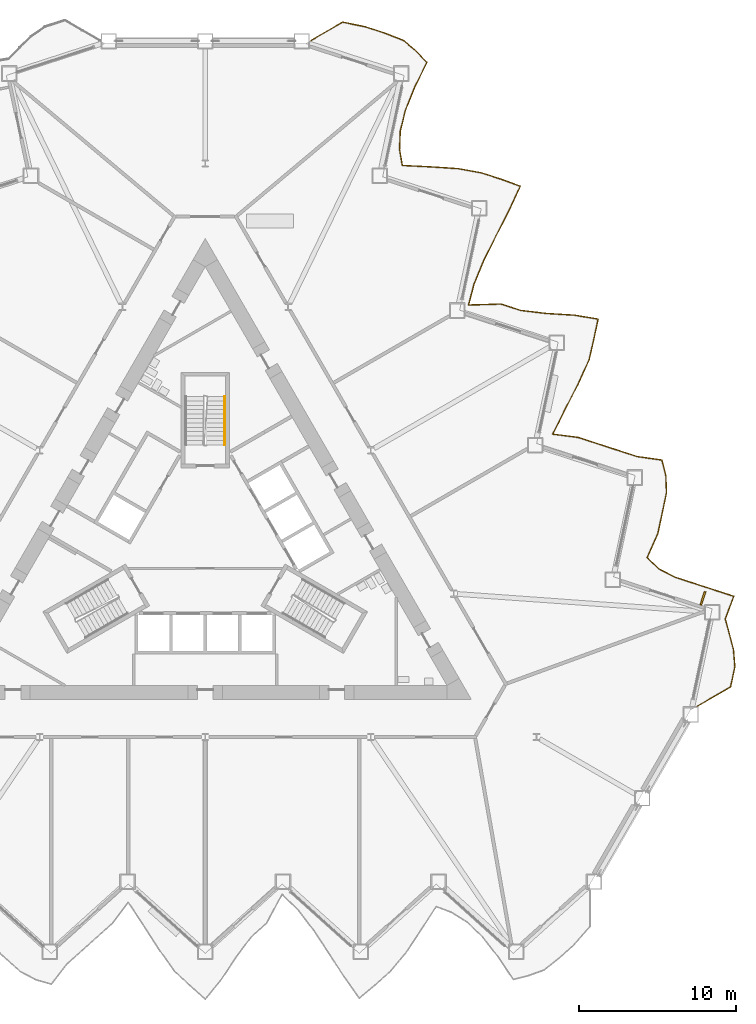
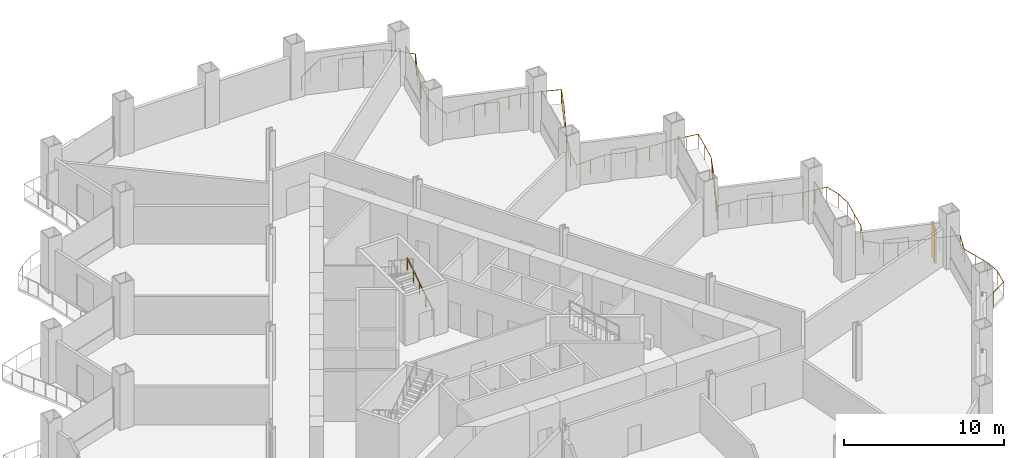
# One storey, part 19 of 21: 2 railings, 1 shading device.
"""IFC4 building model written with IfcOpenShell, lengths in metres."""

from ifc_helpers import new_model, si_unit, direction, frame, origin, origin_2d, place, context, subcontext, project, spatial, rectangle, circle, extrude, material, layer, layer_set, type_object, element, save


model = new_model("IFC4")

# Units and contexts
model_context = context("Model", 3, precision=1e-05, world=origin(), true_north=direction((0.0, 1.0)))
body_context = subcontext(model_context, "Body", "Model", "MODEL_VIEW")
ifc_project = project(units=[si_unit("LENGTHUNIT", "METRE"), si_unit("AREAUNIT", "SQUARE_METRE"), si_unit("VOLUMEUNIT", "CUBIC_METRE"), si_unit("PLANEANGLEUNIT", "RADIAN"), si_unit("MASSUNIT", "GRAM", prefix="KILO")], contexts=[model_context])

# Site, building, storey
site_placement = place(None, origin())
site = spatial("IfcSite", under=ifc_project, at=site_placement, CompositionType="ELEMENT")
building_placement = place(site_placement, origin())
building = spatial("IfcBuilding", under=site, at=building_placement, Name="Cormorant Prow Tower", CompositionType="ELEMENT")
storey_placement = place(building_placement, frame((0.0, 0.0, 67.800048828125)))
storey = spatial("IfcBuildingStorey", under=building, at=storey_placement, Name="L14", CompositionType="ELEMENT", Elevation=67.800048828125)

# Railings
ifc_material_1 = material(Name="Aluminium 6063-T6", Category="aluminium")
railing_type_1 = type_object("IfcRailingType", Name="Balcony guard 1100", PredefinedType="GUARDRAIL", material=ifc_material_1)
railing_1_placement = place(storey_placement, frame((31.3291015625, -10.300537109375, 0.0)))
element("IfcRailing", 1, at=railing_1_placement, inside=storey, type_object=railing_type_1, Name="Balcony guard ENE", PredefinedType="GUARDRAIL", context=body_context, shape_type="SweptSolid", body=[
    extrude(circle(Radius=0.02392578125, at=origin_2d()), frame((0.0, 0.0, 1.076171875), z_axis=(0.866030548046, 0.499991089772, 0.0), x_axis=(-0.499991089772, 0.866030548046, 0.0)), (0.0, 0.0, 1.0), 2.56982421875),
    extrude(circle(Radius=0.02392578125, at=origin_2d()), frame((2.2255859375, 1.284912109375, 1.076171875), z_axis=(0.207916123024, 0.978146658629, 0.0), x_axis=(-0.978146658629, 0.207916123024, 0.0)), (0.0, 0.0, 1.0), 1.3232421875),
    extrude(circle(Radius=0.02392578125, at=origin_2d()), frame((2.500732421875, 2.579345703125, 1.076171875), z_axis=(-0.07842705087, 0.9969198552, 0.0), x_axis=(-0.9969198552, -0.07842705087, 0.0)), (0.0, 0.0, 1.0), 1.089599609375),
    extrude(circle(Radius=0.02392578125, at=origin_2d()), frame((2.415283203125, 3.66552734375, 1.076171875), z_axis=(-0.25593207983, 0.966694765949, 0.0), x_axis=(-0.966694765949, -0.25593207983, 0.0)), (0.0, 0.0, 1.0), 1.018798828125),
    extrude(circle(Radius=0.02392578125, at=origin_2d()), frame((2.154541015625, 4.650390625, 1.076171875), z_axis=(-0.259483218606, 0.965747616752, 0.0), x_axis=(-0.965747616752, -0.259483218606, 0.0)), (0.0, 0.0, 1.0), 1.01806640625),
    extrude(circle(Radius=0.02392578125, at=origin_2d()), frame((1.890380859375, 5.633544921875, 1.076171875), z_axis=(0.35036198406, 0.936614371087, 0.0), x_axis=(-0.936614371087, 0.35036198406, 0.0)), (0.0, 0.0, 1.0), 1.546142578125),
    extrude(circle(Radius=0.02392578125, at=origin_2d()), frame((2.43212890625, 7.081787109375, 1.076171875), z_axis=(-0.951054403512, 0.309023496777, 0.0), x_axis=(-0.309023496777, -0.951054403512, 0.0)), (0.0, 0.0, 1.0), 1.3232421875),
    extrude(circle(Radius=0.02392578125, at=origin_2d()), frame((1.173583984375, 7.49072265625, 1.076171875), z_axis=(-0.951054403512, 0.309023496777, 0.0), x_axis=(-0.309023496777, -0.951054403512, 0.0)), (0.0, 0.0, 1.0), 1.3232421875),
    extrude(circle(Radius=0.02392578125, at=origin_2d()), frame((-0.0849609375, 7.899658203125, 1.076171875), z_axis=(-0.951054403512, 0.309023496777, 0.0), x_axis=(-0.309023496777, -0.951054403512, 0.0)), (0.0, 0.0, 1.0), 1.3232421875),
    extrude(circle(Radius=0.02392578125, at=origin_2d()), frame((-1.343505859375, 8.30859375, 1.076171875), z_axis=(-0.888067570073, 0.459712944113, 0.0), x_axis=(-0.459712944113, -0.888067570073, 0.0)), (0.0, 0.0, 1.0), 1.167724609375),
    extrude(circle(Radius=0.02392578125, at=origin_2d()), frame((-2.380615234375, 8.845458984375, 1.076171875), z_axis=(-0.704219685017, 0.709982137264, 0.0), x_axis=(-0.709982137264, -0.704219685017, 0.0)), (0.0, 0.0, 1.0), 1.016845703125),
    extrude(circle(Radius=0.02392578125, at=origin_2d()), frame((-3.0966796875, 9.5673828125, 1.076171875), z_axis=(0.406666401642, 0.913576727908, 0.0), x_axis=(-0.913576727908, 0.406666401642, 0.0)), (0.0, 0.0, 1.0), 1.673095703125),
    extrude(circle(Radius=0.02392578125, at=origin_2d()), frame((-2.416259765625, 11.095947265625, 1.076171875), z_axis=(0.207953649087, 0.978138681288, 0.0), x_axis=(-0.978138681288, 0.207953649087, 0.0)), (0.0, 0.0, 1.0), 1.322998046875),
    extrude(circle(Radius=0.02392578125, at=origin_2d()), frame((-2.14111328125, 12.39013671875, 1.076171875), z_axis=(0.207916123024, 0.978146658629, 0.0), x_axis=(-0.978146658629, 0.207916123024, 0.0)), (0.0, 0.0, 1.0), 1.3232421875),
    extrude(circle(Radius=0.02392578125, at=origin_2d()), frame((-1.865966796875, 13.6845703125, 1.076171875), z_axis=(-0.037758643401, 0.99928688816, 0.0), x_axis=(-0.99928688816, -0.037758643401, 0.0)), (0.0, 0.0, 1.0), 1.112060546875),
    extrude(circle(Radius=0.02392578125, at=origin_2d()), frame((-1.907958984375, 14.7958984375, 1.076171875), z_axis=(-0.247874989149, 0.968792026058, 0.0), x_axis=(-0.968792026058, -0.247874989149, 0.0)), (0.0, 0.0, 1.0), 1.021484375),
    extrude(circle(Radius=0.02392578125, at=origin_2d()), frame((-2.1611328125, 15.785400390625, 1.076171875), z_axis=(-0.990306886984, 0.138896614761, 0.0), x_axis=(-0.138896614761, -0.990306886984, 0.0)), (0.0, 0.0, 1.0), 1.59765625),
    extrude(circle(Radius=0.02392578125, at=origin_2d()), frame((-3.743408203125, 16.00732421875, 1.076171875), z_axis=(-0.951054403512, 0.309023496777, 0.0), x_axis=(-0.309023496777, -0.951054403512, 0.0)), (0.0, 0.0, 1.0), 1.3232421875),
    extrude(circle(Radius=0.02392578125, at=origin_2d()), frame((-5.001953125, 16.416259765625, 1.076171875), z_axis=(-0.951054403512, 0.309023496777, 0.0), x_axis=(-0.309023496777, -0.951054403512, 0.0)), (0.0, 0.0, 1.0), 1.3232421875),
    extrude(circle(Radius=0.02392578125, at=origin_2d()), frame((-6.260498046875, 16.8251953125, 1.076171875), z_axis=(-0.951054403512, 0.309023496777, 0.0), x_axis=(-0.309023496777, -0.951054403512, 0.0)), (0.0, 0.0, 1.0), 1.3232421875),
    extrude(circle(Radius=0.02392578125, at=origin_2d()), frame((-7.51904296875, 17.234130859375, 1.076171875), z_axis=(-0.992042667433, 0.125902128625, 0.0), x_axis=(-0.125902128625, -0.992042667433, 0.0)), (0.0, 0.0, 1.0), 1.625),
    extrude(circle(Radius=0.02392578125, at=origin_2d()), frame((-9.131103515625, 17.438720703125, 1.076171875), z_axis=(0.447487016102, 0.894290428452, 0.0), x_axis=(-0.894290428452, 0.447487016102, 0.0)), (0.0, 0.0, 1.0), 1.78564453125),
    extrude(circle(Radius=0.02392578125, at=origin_2d()), frame((-8.33203125, 19.03564453125, 1.076171875), z_axis=(0.454811330085, 0.890587813765, 0.0), x_axis=(-0.890587813765, 0.454811330085, 0.0)), (0.0, 0.0, 1.0), 1.808349609375),
    extrude(circle(Radius=0.02392578125, at=origin_2d()), frame((-7.509521484375, 20.646240234375, 1.076171875), z_axis=(0.414563285279, 0.910020484659, 0.0), x_axis=(-0.910020484659, 0.414563285279, 0.0)), (0.0, 0.0, 1.0), 1.693115234375),
    extrude(circle(Radius=0.02392578125, at=origin_2d()), frame((-6.8076171875, 22.18701171875, 1.076171875), z_axis=(0.223318562113, 0.974745515412, 0.0), x_axis=(-0.974745515412, 0.223318562113, 0.0)), (0.0, 0.0, 1.0), 1.342529296875),
    extrude(circle(Radius=0.02392578125, at=origin_2d()), frame((-6.5078125, 23.49560546875, 1.076171875), z_axis=(0.207916123024, 0.978146658629, 0.0), x_axis=(-0.978146658629, 0.207916123024, 0.0)), (0.0, 0.0, 1.0), 1.3232421875),
    extrude(circle(Radius=0.02392578125, at=origin_2d()), frame((-6.232666015625, 24.7900390625, 1.076171875), z_axis=(-0.986973640744, 0.160882045228, 0.0), x_axis=(-0.160882045228, -0.986973640744, 0.0)), (0.0, 0.0, 1.0), 1.553955078125),
    extrude(circle(Radius=0.02392578125, at=origin_2d()), frame((-7.766357421875, 25.0400390625, 1.076171875), z_axis=(-0.99812129543, 0.061268912257, 0.0), x_axis=(-0.061268912257, -0.99812129543, 0.0)), (0.0, 0.0, 1.0), 1.78125),
    extrude(circle(Radius=0.02392578125, at=origin_2d()), frame((-9.544189453125, 25.149169921875, 1.076171875), z_axis=(-0.993117124852, 0.117125472572, 0.0), x_axis=(-0.117125472572, -0.993117124852, 0.0)), (0.0, 0.0, 1.0), 1.64453125),
    extrude(circle(Radius=0.02392578125, at=origin_2d()), frame((-11.177490234375, 25.341796875, 1.076171875), z_axis=(-0.951054403512, 0.309023496777, 0.0), x_axis=(-0.309023496777, -0.951054403512, 0.0)), (0.0, 0.0, 1.0), 1.3232421875),
    extrude(circle(Radius=0.02392578125, at=origin_2d()), frame((-12.43603515625, 25.750732421875, 1.076171875), z_axis=(-0.999556700058, -0.029772527091, 0.0), x_axis=(0.029772527091, -0.999556700058, 0.0)), (0.0, 0.0, 1.0), 2.07470703125),
    extrude(circle(Radius=0.02392578125, at=origin_2d()), frame((-14.509765625, 25.68896484375, 1.076171875), z_axis=(0.255325857742, 0.966855059649, 0.0), x_axis=(-0.966855059649, 0.255325857742, 0.0)), (0.0, 0.0, 1.0), 1.385498046875),
    extrude(circle(Radius=0.02392578125, at=origin_2d()), frame((-14.156005859375, 27.028564453125, 1.076171875), z_axis=(0.382057872084, 0.924138400013, 0.0), x_axis=(-0.924138400013, 0.382057872084, 0.0)), (0.0, 0.0, 1.0), 1.6142578125),
    extrude(circle(Radius=0.02392578125, at=origin_2d()), frame((-13.539306640625, 28.520263671875, 1.076171875), z_axis=(0.444408082663, 0.895824456054, 0.0), x_axis=(-0.895824456054, 0.444408082663, 0.0)), (0.0, 0.0, 1.0), 1.776611328125),
    extrude(circle(Radius=0.02392578125, at=origin_2d()), frame((-12.749755859375, 30.11181640625, 1.076171875), z_axis=(0.45613613343, 0.889910011057, 0.0), x_axis=(-0.889910011057, 0.45613613343, 0.0)), (0.0, 0.0, 1.0), 1.812255859375),
    extrude(circle(Radius=0.02392578125, at=origin_2d()), frame((-11.923095703125, 31.724609375, 1.076171875), z_axis=(0.420435188405, 0.907322573482, 0.0), x_axis=(-0.907322573482, 0.420435188405, 0.0)), (0.0, 0.0, 1.0), 1.70849609375),
    extrude(circle(Radius=0.02392578125, at=origin_2d()), frame((-11.204833984375, 33.274658203125, 1.076171875), z_axis=(-0.939017858551, 0.343868377903, 0.0), x_axis=(-0.343868377903, -0.939017858551, 0.0)), (0.0, 0.0, 1.0), 1.281494140625),
    extrude(circle(Radius=0.02392578125, at=origin_2d()), frame((-12.408203125, 33.71533203125, 1.076171875), z_axis=(-0.951054403512, 0.309023496777, 0.0), x_axis=(-0.309023496777, -0.951054403512, 0.0)), (0.0, 0.0, 1.0), 1.3232421875),
    extrude(circle(Radius=0.02392578125, at=origin_2d()), frame((-13.666748046875, 34.124267578125, 1.076171875), z_axis=(-0.983608934838, 0.180314900401, 0.0), x_axis=(-0.180314900401, -0.983608934838, 0.0)), (0.0, 0.0, 1.0), 1.517822265625),
    extrude(circle(Radius=0.02392578125, at=origin_2d()), frame((-15.15966796875, 34.39794921875, 1.076171875), z_axis=(-0.997891181229, 0.064909093545, 0.0), x_axis=(-0.064909093545, -0.997891181229, 0.0)), (0.0, 0.0, 1.0), 1.771484375),
    extrude(circle(Radius=0.02392578125, at=origin_2d()), frame((-16.927490234375, 34.512939453125, 1.076171875), z_axis=(-0.99877937703, 0.049393886453, 0.0), x_axis=(-0.049393886453, -0.99877937703, 0.0)), (0.0, 0.0, 1.0), 1.81396484375),
    extrude(circle(Radius=0.02392578125, at=origin_2d()), frame((-18.7392578125, 34.6025390625, 1.076171875), z_axis=(-0.167380545357, 0.985892363819, 0.0), x_axis=(-0.985892363819, -0.167380545357, 0.0)), (0.0, 0.0, 1.0), 1.048828125),
    extrude(circle(Radius=0.02392578125, at=origin_2d()), frame((-18.914794921875, 35.636474609375, 1.076171875), z_axis=(0.039054024104, 0.999237100593, 0.0), x_axis=(-0.999237100593, 0.039054024104, 0.0)), (0.0, 0.0, 1.0), 1.162841796875),
    extrude(circle(Radius=0.02392578125, at=origin_2d()), frame((-18.869384765625, 36.79833984375, 1.076171875), z_axis=(0.240093301507, 0.970749816673, 0.0), x_axis=(-0.970749816673, 0.240093301507, 0.0)), (0.0, 0.0, 1.0), 1.364501953125),
    extrude(circle(Radius=0.02392578125, at=origin_2d()), frame((-18.541748046875, 38.123046875, 1.076171875), z_axis=(0.373501084579, 0.927629742849, 0.0), x_axis=(-0.927629742849, 0.373501084579, 0.0)), (0.0, 0.0, 1.0), 1.594970703125),
    extrude(circle(Radius=0.02392578125, at=origin_2d()), frame((-17.946044921875, 39.6025390625, 1.076171875), z_axis=(0.441066016697, 0.897474661991, 0.0), x_axis=(-0.897474661991, 0.441066016697, 0.0)), (0.0, 0.0, 1.0), 1.766357421875),
    extrude(circle(Radius=0.02392578125, at=origin_2d()), frame((-17.1669921875, 41.187744140625, 1.076171875), z_axis=(-0.694714872797, 0.719285232376, 0.0), x_axis=(-0.719285232376, -0.694714872797, 0.0)), (0.0, 0.0, 1.0), 1.013427734375),
    extrude(circle(Radius=0.02392578125, at=origin_2d()), frame((-17.87109375, 41.916748046875, 1.076171875), z_axis=(-0.765074589063, 0.643941669074, 0.0), x_axis=(-0.643941669074, -0.765074589063, 0.0)), (0.0, 0.0, 1.0), 1.046142578125),
    extrude(circle(Radius=0.02392578125, at=origin_2d()), frame((-18.67138671875, 42.59033203125, 1.076171875), z_axis=(-0.930892975673, 0.365292030904, 0.0), x_axis=(-0.365292030904, -0.930892975673, 0.0)), (0.0, 0.0, 1.0), 1.2578125),
    extrude(circle(Radius=0.02392578125, at=origin_2d()), frame((-19.84228515625, 43.0498046875, 1.076171875), z_axis=(-0.951054403512, 0.309023496777, 0.0), x_axis=(-0.309023496777, -0.951054403512, 0.0)), (0.0, 0.0, 1.0), 1.3232421875),
    extrude(circle(Radius=0.02392578125, at=origin_2d()), frame((-21.100830078125, 43.458740234375, 1.076171875), z_axis=(-0.979839575848, 0.199785899409, 0.0), x_axis=(-0.199785899409, -0.979839575848, 0.0)), (0.0, 0.0, 1.0), 1.483642578125),
    extrude(circle(Radius=0.02392578125, at=origin_2d()), frame((-22.554443359375, 43.755126953125, 1.076171875), z_axis=(-0.865998332812, -0.500046885369, 0.0), x_axis=(0.500046885369, -0.865998332812, 0.0)), (0.0, 0.0, 1.0), 2.344970703125),
    extrude(circle(Radius=0.02099609375, at=origin_2d()), origin(), (0.0, 0.0, 1.0), 1.052001953125),
    extrude(circle(Radius=0.02099609375, at=origin_2d()), frame((1.11279296875, 0.642578125, 0.0)), (0.0, 0.0, 1.0), 1.052001953125),
    extrude(circle(Radius=0.02099609375, at=origin_2d()), frame((2.2255859375, 1.284912109375, 0.0)), (0.0, 0.0, 1.0), 1.052001953125),
    extrude(circle(Radius=0.02099609375, at=origin_2d()), frame((2.500732421875, 2.579345703125, 0.0)), (0.0, 0.0, 1.0), 1.052001953125),
    extrude(circle(Radius=0.02099609375, at=origin_2d()), frame((2.415283203125, 3.66552734375, 0.0)), (0.0, 0.0, 1.0), 1.052001953125),
    extrude(circle(Radius=0.02099609375, at=origin_2d()), frame((2.154541015625, 4.650390625, 0.0)), (0.0, 0.0, 1.0), 1.052001953125),
    extrude(circle(Radius=0.02099609375, at=origin_2d()), frame((1.890380859375, 5.633544921875, 0.0)), (0.0, 0.0, 1.0), 1.052001953125),
    extrude(circle(Radius=0.02099609375, at=origin_2d()), frame((2.1611328125, 6.357666015625, 0.0)), (0.0, 0.0, 1.0), 1.052001953125),
    extrude(circle(Radius=0.02099609375, at=origin_2d()), frame((2.43212890625, 7.081787109375, 0.0)), (0.0, 0.0, 1.0), 1.052001953125),
    extrude(circle(Radius=0.02099609375, at=origin_2d()), frame((1.173583984375, 7.49072265625, 0.0)), (0.0, 0.0, 1.0), 1.052001953125),
    extrude(circle(Radius=0.02099609375, at=origin_2d()), frame((-0.0849609375, 7.899658203125, 0.0)), (0.0, 0.0, 1.0), 1.052001953125),
    extrude(circle(Radius=0.02099609375, at=origin_2d()), frame((-1.343505859375, 8.30859375, 0.0)), (0.0, 0.0, 1.0), 1.052001953125),
    extrude(circle(Radius=0.02099609375, at=origin_2d()), frame((-2.380615234375, 8.845458984375, 0.0)), (0.0, 0.0, 1.0), 1.052001953125),
    extrude(circle(Radius=0.02099609375, at=origin_2d()), frame((-3.0966796875, 9.5673828125, 0.0)), (0.0, 0.0, 1.0), 1.052001953125),
    extrude(circle(Radius=0.02099609375, at=origin_2d()), frame((-2.75634765625, 10.33154296875, 0.0)), (0.0, 0.0, 1.0), 1.052001953125),
    extrude(circle(Radius=0.02099609375, at=origin_2d()), frame((-2.416259765625, 11.095947265625, 0.0)), (0.0, 0.0, 1.0), 1.052001953125),
    extrude(circle(Radius=0.02099609375, at=origin_2d()), frame((-2.14111328125, 12.39013671875, 0.0)), (0.0, 0.0, 1.0), 1.052001953125),
    extrude(circle(Radius=0.02099609375, at=origin_2d()), frame((-1.865966796875, 13.6845703125, 0.0)), (0.0, 0.0, 1.0), 1.052001953125),
    extrude(circle(Radius=0.02099609375, at=origin_2d()), frame((-1.907958984375, 14.7958984375, 0.0)), (0.0, 0.0, 1.0), 1.052001953125),
    extrude(circle(Radius=0.02099609375, at=origin_2d()), frame((-2.1611328125, 15.785400390625, 0.0)), (0.0, 0.0, 1.0), 1.052001953125),
    extrude(circle(Radius=0.02099609375, at=origin_2d()), frame((-2.9521484375, 15.896484375, 0.0)), (0.0, 0.0, 1.0), 1.052001953125),
    extrude(circle(Radius=0.02099609375, at=origin_2d()), frame((-3.743408203125, 16.00732421875, 0.0)), (0.0, 0.0, 1.0), 1.052001953125),
    extrude(circle(Radius=0.02099609375, at=origin_2d()), frame((-5.001953125, 16.416259765625, 0.0)), (0.0, 0.0, 1.0), 1.052001953125),
    extrude(circle(Radius=0.02099609375, at=origin_2d()), frame((-6.260498046875, 16.8251953125, 0.0)), (0.0, 0.0, 1.0), 1.052001953125),
    extrude(circle(Radius=0.02099609375, at=origin_2d()), frame((-7.51904296875, 17.234130859375, 0.0)), (0.0, 0.0, 1.0), 1.052001953125),
    extrude(circle(Radius=0.02099609375, at=origin_2d()), frame((-8.3251953125, 17.33642578125, 0.0)), (0.0, 0.0, 1.0), 1.052001953125),
    extrude(circle(Radius=0.02099609375, at=origin_2d()), frame((-9.131103515625, 17.438720703125, 0.0)), (0.0, 0.0, 1.0), 1.052001953125),
    extrude(circle(Radius=0.02099609375, at=origin_2d()), frame((-8.7314453125, 18.2373046875, 0.0)), (0.0, 0.0, 1.0), 1.052001953125),
    extrude(circle(Radius=0.02099609375, at=origin_2d()), frame((-8.33203125, 19.03564453125, 0.0)), (0.0, 0.0, 1.0), 1.052001953125),
    extrude(circle(Radius=0.02099609375, at=origin_2d()), frame((-7.9208984375, 19.8408203125, 0.0)), (0.0, 0.0, 1.0), 1.052001953125),
    extrude(circle(Radius=0.02099609375, at=origin_2d()), frame((-7.509521484375, 20.646240234375, 0.0)), (0.0, 0.0, 1.0), 1.052001953125),
    extrude(circle(Radius=0.02099609375, at=origin_2d()), frame((-7.15869140625, 21.41650390625, 0.0)), (0.0, 0.0, 1.0), 1.052001953125),
    extrude(circle(Radius=0.02099609375, at=origin_2d()), frame((-6.8076171875, 22.18701171875, 0.0)), (0.0, 0.0, 1.0), 1.052001953125),
    extrude(circle(Radius=0.02099609375, at=origin_2d()), frame((-6.5078125, 23.49560546875, 0.0)), (0.0, 0.0, 1.0), 1.052001953125),
    extrude(circle(Radius=0.02099609375, at=origin_2d()), frame((-6.232666015625, 24.7900390625, 0.0)), (0.0, 0.0, 1.0), 1.052001953125),
    extrude(circle(Radius=0.02099609375, at=origin_2d()), frame((-6.99951171875, 24.9150390625, 0.0)), (0.0, 0.0, 1.0), 1.052001953125),
    extrude(circle(Radius=0.02099609375, at=origin_2d()), frame((-7.766357421875, 25.0400390625, 0.0)), (0.0, 0.0, 1.0), 1.052001953125),
    extrude(circle(Radius=0.02099609375, at=origin_2d()), frame((-8.6552734375, 25.0947265625, 0.0)), (0.0, 0.0, 1.0), 1.052001953125),
    extrude(circle(Radius=0.02099609375, at=origin_2d()), frame((-9.544189453125, 25.149169921875, 0.0)), (0.0, 0.0, 1.0), 1.052001953125),
    extrude(circle(Radius=0.02099609375, at=origin_2d()), frame((-10.36083984375, 25.24560546875, 0.0)), (0.0, 0.0, 1.0), 1.052001953125),
    extrude(circle(Radius=0.02099609375, at=origin_2d()), frame((-11.177490234375, 25.341796875, 0.0)), (0.0, 0.0, 1.0), 1.052001953125),
    extrude(circle(Radius=0.02099609375, at=origin_2d()), frame((-12.43603515625, 25.750732421875, 0.0)), (0.0, 0.0, 1.0), 1.052001953125),
    extrude(circle(Radius=0.02099609375, at=origin_2d()), frame((-13.472900390625, 25.7197265625, 0.0)), (0.0, 0.0, 1.0), 1.052001953125),
    extrude(circle(Radius=0.02099609375, at=origin_2d()), frame((-14.509765625, 25.68896484375, 0.0)), (0.0, 0.0, 1.0), 1.052001953125),
    extrude(circle(Radius=0.02099609375, at=origin_2d()), frame((-14.156005859375, 27.028564453125, 0.0)), (0.0, 0.0, 1.0), 1.052001953125),
    extrude(circle(Radius=0.02099609375, at=origin_2d()), frame((-13.84765625, 27.7744140625, 0.0)), (0.0, 0.0, 1.0), 1.052001953125),
    extrude(circle(Radius=0.02099609375, at=origin_2d()), frame((-13.539306640625, 28.520263671875, 0.0)), (0.0, 0.0, 1.0), 1.052001953125),
    extrude(circle(Radius=0.02099609375, at=origin_2d()), frame((-13.14453125, 29.31591796875, 0.0)), (0.0, 0.0, 1.0), 1.052001953125),
    extrude(circle(Radius=0.02099609375, at=origin_2d()), frame((-12.749755859375, 30.11181640625, 0.0)), (0.0, 0.0, 1.0), 1.052001953125),
    extrude(circle(Radius=0.02099609375, at=origin_2d()), frame((-12.33642578125, 30.918212890625, 0.0)), (0.0, 0.0, 1.0), 1.052001953125),
    extrude(circle(Radius=0.02099609375, at=origin_2d()), frame((-11.923095703125, 31.724609375, 0.0)), (0.0, 0.0, 1.0), 1.052001953125),
    extrude(circle(Radius=0.02099609375, at=origin_2d()), frame((-11.56396484375, 32.49951171875, 0.0)), (0.0, 0.0, 1.0), 1.052001953125),
    extrude(circle(Radius=0.02099609375, at=origin_2d()), frame((-11.204833984375, 33.274658203125, 0.0)), (0.0, 0.0, 1.0), 1.052001953125),
    extrude(circle(Radius=0.02099609375, at=origin_2d()), frame((-12.408203125, 33.71533203125, 0.0)), (0.0, 0.0, 1.0), 1.052001953125),
    extrude(circle(Radius=0.02099609375, at=origin_2d()), frame((-13.666748046875, 34.124267578125, 0.0)), (0.0, 0.0, 1.0), 1.052001953125),
    extrude(circle(Radius=0.02099609375, at=origin_2d()), frame((-14.4130859375, 34.26123046875, 0.0)), (0.0, 0.0, 1.0), 1.052001953125),
    extrude(circle(Radius=0.02099609375, at=origin_2d()), frame((-15.15966796875, 34.39794921875, 0.0)), (0.0, 0.0, 1.0), 1.052001953125),
    extrude(circle(Radius=0.02099609375, at=origin_2d()), frame((-16.04345703125, 34.45556640625, 0.0)), (0.0, 0.0, 1.0), 1.052001953125),
    extrude(circle(Radius=0.02099609375, at=origin_2d()), frame((-16.927490234375, 34.512939453125, 0.0)), (0.0, 0.0, 1.0), 1.052001953125),
    extrude(circle(Radius=0.02099609375, at=origin_2d()), frame((-17.83349609375, 34.5576171875, 0.0)), (0.0, 0.0, 1.0), 1.052001953125),
    extrude(circle(Radius=0.02099609375, at=origin_2d()), frame((-18.7392578125, 34.6025390625, 0.0)), (0.0, 0.0, 1.0), 1.052001953125),
    extrude(circle(Radius=0.02099609375, at=origin_2d()), frame((-18.914794921875, 35.636474609375, 0.0)), (0.0, 0.0, 1.0), 1.052001953125),
    extrude(circle(Radius=0.02099609375, at=origin_2d()), frame((-18.869384765625, 36.79833984375, 0.0)), (0.0, 0.0, 1.0), 1.052001953125),
    extrude(circle(Radius=0.02099609375, at=origin_2d()), frame((-18.541748046875, 38.123046875, 0.0)), (0.0, 0.0, 1.0), 1.052001953125),
    extrude(circle(Radius=0.02099609375, at=origin_2d()), frame((-18.243896484375, 38.86279296875, 0.0)), (0.0, 0.0, 1.0), 1.052001953125),
    extrude(circle(Radius=0.02099609375, at=origin_2d()), frame((-17.946044921875, 39.6025390625, 0.0)), (0.0, 0.0, 1.0), 1.052001953125),
    extrude(circle(Radius=0.02099609375, at=origin_2d()), frame((-17.556640625, 40.39501953125, 0.0)), (0.0, 0.0, 1.0), 1.052001953125),
    extrude(circle(Radius=0.02099609375, at=origin_2d()), frame((-17.1669921875, 41.187744140625, 0.0)), (0.0, 0.0, 1.0), 1.052001953125),
    extrude(circle(Radius=0.02099609375, at=origin_2d()), frame((-17.87109375, 41.916748046875, 0.0)), (0.0, 0.0, 1.0), 1.052001953125),
    extrude(circle(Radius=0.02099609375, at=origin_2d()), frame((-18.67138671875, 42.59033203125, 0.0)), (0.0, 0.0, 1.0), 1.052001953125),
    extrude(circle(Radius=0.02099609375, at=origin_2d()), frame((-19.84228515625, 43.0498046875, 0.0)), (0.0, 0.0, 1.0), 1.052001953125),
    extrude(circle(Radius=0.02099609375, at=origin_2d()), frame((-21.100830078125, 43.458740234375, 0.0)), (0.0, 0.0, 1.0), 1.052001953125),
    extrude(circle(Radius=0.02099609375, at=origin_2d()), frame((-22.554443359375, 43.755126953125, 0.0)), (0.0, 0.0, 1.0), 1.052001953125),
    extrude(circle(Radius=0.02099609375, at=origin_2d()), frame((-23.56982421875, 43.1689453125, 0.0)), (0.0, 0.0, 1.0), 1.052001953125),
    extrude(circle(Radius=0.02099609375, at=origin_2d()), frame((-24.585205078125, 42.58251953125, 0.0)), (0.0, 0.0, 1.0), 1.052001953125),
])
ifc_material_2 = material(Name="Stainless steel", Category="steel")
railing_type_2 = type_object("IfcRailingType", Name="Stair handrail 900", PredefinedType="HANDRAIL", material=ifc_material_2)
railing_2_placement = place(storey_placement, frame((1.243896484375, 6.455810546875, 0.175048828125)))
element("IfcRailing", 2, at=railing_2_placement, inside=storey, type_object=railing_type_2, Name="L14 ST3 stair handrail 1", PredefinedType="HANDRAIL", context=body_context, shape_type="SweptSolid", body=[
    extrude(circle(Radius=0.02392578125, at=origin_2d()), frame((0.0, 0.0, 0.8759765625), z_axis=(0.0, 0.848028513186, 0.529950602248), x_axis=(-1.0, 0.0, 0.0)), (0.0, 0.0, 1.0), 3.632080078125),
    extrude(circle(Radius=0.02099609375, at=origin_2d()), origin(), (0.0, 0.0, 1.0), 0.851806640625),
    extrude(circle(Radius=0.02099609375, at=origin_2d()), frame((0.0, 0.77001953125, 0.481201171875)), (0.0, 0.0, 1.0), 0.851806640625),
    extrude(circle(Radius=0.02099609375, at=origin_2d()), frame((0.0, 1.5400390625, 0.96240234375)), (0.0, 0.0, 1.0), 0.851806640625),
    extrude(circle(Radius=0.02099609375, at=origin_2d()), frame((0.0, 2.31005859375, 1.443603515625)), (0.0, 0.0, 1.0), 0.851806640625),
    extrude(circle(Radius=0.02099609375, at=origin_2d()), frame((0.0, 3.080078125, 1.9248046875)), (0.0, 0.0, 1.0), 0.851806640625),
])

# Shading device
ifc_material_3 = material(Name="Terracotta", Category="masonry")
ifc_layer = layer(ifc_material_3, 0.1201171875)
ifc_layer_set = layer_set([ifc_layer], Name="Terracotta")
shading_device_type = type_object("IfcShadingDeviceType", Name="Terracotta baguette fin 120x900x2600", PredefinedType="USERDEFINED", material=ifc_layer_set)
shading_device_placement = place(storey_placement, frame((31.7890625, -3.35498046875, 0.0), z_axis=(0.0, 0.0, 1.0), x_axis=(-0.951056531806, 0.309016946636, 0.0)))
element("IfcShadingDevice", 3, at=shading_device_placement, inside=storey, type_object=shading_device_type, Name="Baguette fin ENE01", ObjectType="BAGUETTE", PredefinedType="USERDEFINED", context=body_context, shape_type="SweptSolid", body=[
    extrude(rectangle(XDim=0.1201171875, YDim=0.89990234375, at=origin_2d()), origin(), (0.0, 0.0, 1.0), 2.60009765625),
])

save(model, "model.ifc")
